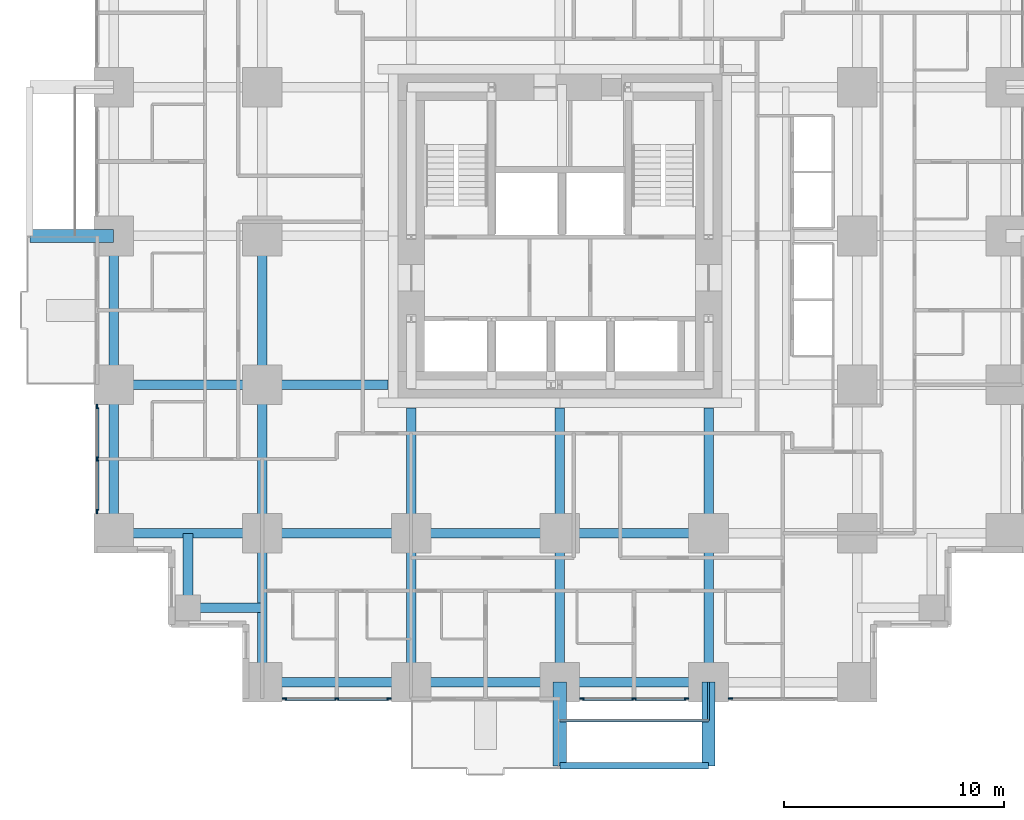
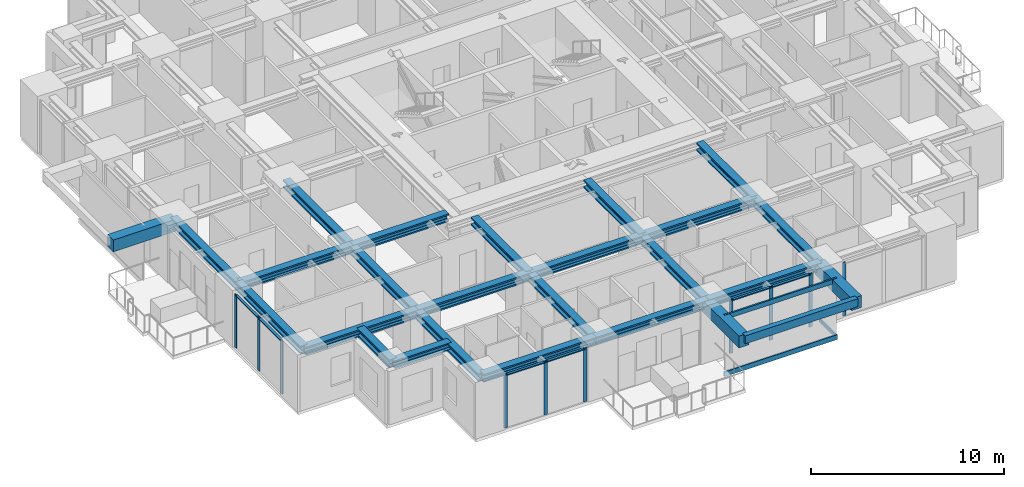
# One storey, part 2 of 14: 26 beams, 19 members, 4 elements without a shape of their own.
"""IFC4 building model written with IfcOpenShell, lengths in metres."""

from ifc_helpers import new_model, si_unit, direction, frame, origin, origin_2d, place, context, subcontext, project, spatial, rectangle, hollow_rectangle, i_section, extrude, material, material_profile, profile_set, type_object, element, aggregate, save


model = new_model("IFC4")

# Units and contexts
model_context = context("Model", 3, precision=1e-05, world=origin(), true_north=direction((0.0, 1.0)))
body_context = subcontext(model_context, "Body", "Model", "MODEL_VIEW")
ifc_project = project(units=[si_unit("LENGTHUNIT", "METRE"), si_unit("AREAUNIT", "SQUARE_METRE"), si_unit("VOLUMEUNIT", "CUBIC_METRE"), si_unit("PLANEANGLEUNIT", "RADIAN"), si_unit("MASSUNIT", "GRAM", prefix="KILO")], contexts=[model_context])

# Site, building, storey
site_placement = place(None, origin())
site = spatial("IfcSite", under=ifc_project, at=site_placement, CompositionType="ELEMENT")
building_placement = place(site_placement, origin())
building = spatial("IfcBuilding", under=site, at=building_placement, Name="Nyansa Garden Tower", CompositionType="ELEMENT")
storey_placement = place(building_placement, frame((0.0, 0.0, 54.0)))
storey = spatial("IfcBuildingStorey", under=building, at=storey_placement, Name="L14", CompositionType="ELEMENT", Elevation=54.0)

# Beams
ifc_material_1 = material(Name="Concrete C70/85", Category="concrete")
ifc_material_profile_1 = material_profile(ifc_material_1, rectangle(XDim=0.60009765625, YDim=0.75, at=origin_2d()), Name="RC 600x750")
ifc_profile_set_1 = profile_set([ifc_material_profile_1], Name="Concrete C70/85")
beam_type_1 = type_object("IfcBeamType", Name="Balcony cantilever beam CB1 RC 600x750", PredefinedType="BEAM", material=ifc_profile_set_1)
for number, where, z_axis, x_axis, name in (
    (1, (20.25, 0.0, 2.985107421875), (0.0, -1.0, 0.0), (1.0, 0.0, 0.0), "Balcony cantilever beam L15"),
    (2, (27.0, 0.0, 2.985107421875), (0.0, -1.0, 0.0), (1.0, 0.0, 0.0), "Balcony cantilever beam L15"),
    (3, (0.0, 20.25, 2.985107421875), (-1.0, 0.0, 0.0), (0.0, -1.0, 0.0), "Balcony cantilever beam L15"),
):
    element("IfcBeam", number, at=place(storey_placement, frame(where, z_axis=z_axis, x_axis=x_axis)), inside=storey, type_object=beam_type_1, Name=name, PredefinedType="BEAM", context=body_context, shape_type="SweptSolid", body=[
        extrude(rectangle(XDim=0.60009765625, YDim=0.75, at=origin_2d()), origin(), (0.0, 0.0, 1.0), 3.800048828125),
    ])
ifc_material_2 = material(Name="Concrete C70/85", Category="concrete")
ifc_material_profile_2 = material_profile(ifc_material_2, rectangle(XDim=0.300048828125, YDim=0.5, at=origin_2d()), Name="RC 300x500")
ifc_profile_set_2 = profile_set([ifc_material_profile_2], Name="Concrete C70/85")
beam_type_2 = type_object("IfcBeamType", Name="Balcony edge beam BE1 RC 300x500", PredefinedType="BEAM", material=ifc_profile_set_2)
beam_1_placement = place(storey_placement, frame((20.25, -3.800048828125, 3.110107421875), z_axis=(1.0, 0.0, 0.0), x_axis=(0.0, 1.0, 0.0)))
element("IfcBeam", 4, at=beam_1_placement, inside=storey, type_object=beam_type_2, Name="Balcony edge beam L15", PredefinedType="BEAM", context=body_context, shape_type="SweptSolid", body=[
    extrude(rectangle(XDim=0.300048828125, YDim=0.5, at=origin_2d()), origin(), (0.0, 0.0, 1.0), 6.75),
])

# Curtain wall, members
ifc_material_3 = material(Name="Black anodised aluminium, dark tinted double glazing", Category="aluminium")
curtain_wall_type = type_object("IfcCurtainWallType", Name="Inner skin curtain wall ISW-A", PredefinedType="USERDEFINED", material=ifc_material_3)
curtain_wall_1_placement = place(storey_placement, origin())
curtain_wall_1 = element("IfcCurtainWall", 5, at=curtain_wall_1_placement, inside=storey, type_object=curtain_wall_type, Name="Inner skin curtain wall L14 W", ObjectType="UNITISED CURTAIN WALL", PredefinedType="USERDEFINED")
ifc_material_4 = material(Name="Black anodised aluminium", Category="aluminium")
ifc_material_profile_3 = material_profile(ifc_material_4, rectangle(XDim=0.06494140625, YDim=0.199951171875, at=origin_2d()), Name="Mullion 200x65")
ifc_profile_set_3 = profile_set([ifc_material_profile_3], Name="Black anodised aluminium")
member_type_1 = type_object("IfcMemberType", Name="Mullion ISW-A 200x65", PredefinedType="MULLION", material=ifc_profile_set_3)
member_1_placement = place(storey_placement, frame((-0.75, 12.5, 0.0), z_axis=(0.0, 0.0, 1.0), x_axis=(1.0, 0.0, 0.0)))
member_1 = element("IfcMember", 6, at=member_1_placement, type_object=member_type_1, Name="ISW-A mullion 1", PredefinedType="MULLION", context=body_context, shape_type="SweptSolid", body=[
    extrude(rectangle(XDim=0.06494140625, YDim=0.199951171875, at=origin_2d()), origin(), (0.0, 0.0, 1.0), 3.375),
])
member_2_placement = place(storey_placement, frame((-0.75, 10.125, 0.0), z_axis=(0.0, 0.0, 1.0), x_axis=(1.0, 0.0, 0.0)))
member_2 = element("IfcMember", 7, at=member_2_placement, type_object=member_type_1, Name="ISW-A mullion 2", PredefinedType="MULLION", context=body_context, shape_type="SweptSolid", body=[
    extrude(rectangle(XDim=0.06494140625, YDim=0.199951171875, at=origin_2d()), origin(), (0.0, 0.0, 1.0), 3.375),
])
member_3_placement = place(storey_placement, frame((-0.75, 7.75, 0.0), z_axis=(0.0, 0.0, 1.0), x_axis=(1.0, 0.0, 0.0)))
member_3 = element("IfcMember", 8, at=member_3_placement, type_object=member_type_1, Name="ISW-A mullion 3", PredefinedType="MULLION", context=body_context, shape_type="SweptSolid", body=[
    extrude(rectangle(XDim=0.06494140625, YDim=0.199951171875, at=origin_2d()), origin(), (0.0, 0.0, 1.0), 3.375),
])

curtain_wall_2_placement = place(storey_placement, origin())
curtain_wall_2 = element("IfcCurtainWall", 9, at=curtain_wall_2_placement, inside=storey, type_object=curtain_wall_type, Name="Inner skin curtain wall L14 S", ObjectType="UNITISED CURTAIN WALL", PredefinedType="USERDEFINED")
member_4_placement = place(storey_placement, frame((7.75, -0.75, 0.0), z_axis=(0.0, 0.0, 1.0), x_axis=(0.0, 1.0, 0.0)))
member_4 = element("IfcMember", 10, at=member_4_placement, type_object=member_type_1, Name="ISW-A mullion 1", PredefinedType="MULLION", context=body_context, shape_type="SweptSolid", body=[
    extrude(rectangle(XDim=0.06494140625, YDim=0.199951171875, at=origin_2d()), origin(), (0.0, 0.0, 1.0), 3.375),
])
member_5_placement = place(storey_placement, frame((10.125, -0.75, 0.0), z_axis=(0.0, 0.0, 1.0), x_axis=(0.0, 1.0, 0.0)))
member_5 = element("IfcMember", 11, at=member_5_placement, type_object=member_type_1, Name="ISW-A mullion 2", PredefinedType="MULLION", context=body_context, shape_type="SweptSolid", body=[
    extrude(rectangle(XDim=0.06494140625, YDim=0.199951171875, at=origin_2d()), origin(), (0.0, 0.0, 1.0), 3.375),
])
member_6_placement = place(storey_placement, frame((12.5, -0.75, 0.0), z_axis=(0.0, 0.0, 1.0), x_axis=(0.0, 1.0, 0.0)))
member_6 = element("IfcMember", 12, at=member_6_placement, type_object=member_type_1, Name="ISW-A mullion 3", PredefinedType="MULLION", context=body_context, shape_type="SweptSolid", body=[
    extrude(rectangle(XDim=0.06494140625, YDim=0.199951171875, at=origin_2d()), origin(), (0.0, 0.0, 1.0), 3.375),
])

curtain_wall_3_placement = place(storey_placement, origin())
curtain_wall_3 = element("IfcCurtainWall", 13, at=curtain_wall_3_placement, inside=storey, type_object=curtain_wall_type, Name="Inner skin curtain wall L14 S", ObjectType="UNITISED CURTAIN WALL", PredefinedType="USERDEFINED")
member_7_placement = place(storey_placement, frame((21.25, -0.75, 0.0), z_axis=(0.0, 0.0, 1.0), x_axis=(0.0, 1.0, 0.0)))
member_7 = element("IfcMember", 14, at=member_7_placement, type_object=member_type_1, Name="ISW-A mullion 1", PredefinedType="MULLION", context=body_context, shape_type="SweptSolid", body=[
    extrude(rectangle(XDim=0.06494140625, YDim=0.199951171875, at=origin_2d()), origin(), (0.0, 0.0, 1.0), 3.375),
])
member_8_placement = place(storey_placement, frame((23.625, -0.75, 0.0), z_axis=(0.0, 0.0, 1.0), x_axis=(0.0, 1.0, 0.0)))
member_8 = element("IfcMember", 15, at=member_8_placement, type_object=member_type_1, Name="ISW-A mullion 2", PredefinedType="MULLION", context=body_context, shape_type="SweptSolid", body=[
    extrude(rectangle(XDim=0.06494140625, YDim=0.199951171875, at=origin_2d()), origin(), (0.0, 0.0, 1.0), 3.375),
])
member_9_placement = place(storey_placement, frame((26.0, -0.75, 0.0), z_axis=(0.0, 0.0, 1.0), x_axis=(0.0, 1.0, 0.0)))
member_9 = element("IfcMember", 16, at=member_9_placement, type_object=member_type_1, Name="ISW-A mullion 3", PredefinedType="MULLION", context=body_context, shape_type="SweptSolid", body=[
    extrude(rectangle(XDim=0.06494140625, YDim=0.199951171875, at=origin_2d()), origin(), (0.0, 0.0, 1.0), 3.375),
])

# Curtain wall, member
curtain_wall_4_placement = place(storey_placement, origin())
curtain_wall_4 = element("IfcCurtainWall", 17, at=curtain_wall_4_placement, inside=storey, type_object=curtain_wall_type, Name="Inner skin curtain wall L14 S", ObjectType="UNITISED CURTAIN WALL", PredefinedType="USERDEFINED")
member_10_placement = place(storey_placement, frame((28.0, -0.75, 0.0), z_axis=(0.0, 0.0, 1.0), x_axis=(0.0, 1.0, 0.0)))
member_10 = element("IfcMember", 18, at=member_10_placement, type_object=member_type_1, Name="ISW-A mullion 1", PredefinedType="MULLION", context=body_context, shape_type="SweptSolid", body=[
    extrude(rectangle(XDim=0.06494140625, YDim=0.199951171875, at=origin_2d()), origin(), (0.0, 0.0, 1.0), 3.375),
])
aggregate(curtain_wall_4, [member_10])

# Members
ifc_material_5 = material(Name="Steel S355, black powder coated", Category="steel")
ifc_material_profile_4 = material_profile(ifc_material_5, hollow_rectangle(XDim=0.10009765625, YDim=0.199951171875, WallThickness=0.008056640625, at=origin_2d()), Name="RHS 200x100x8")
ifc_profile_set_4 = profile_set([ifc_material_profile_4], Name="Steel S355, black powder coated")
member_type_2 = type_object("IfcMemberType", Name="Outer skin bracket arm RHS 200x100x8", PredefinedType="USERDEFINED", material=ifc_profile_set_4)
member_11_placement = place(storey_placement, frame((27.0, 0.0, -0.375), z_axis=(0.0, -1.0, 0.0), x_axis=(1.0, 0.0, 0.0)))
element("IfcMember", 19, at=member_11_placement, inside=storey, type_object=member_type_2, Name="Outer skin bracket arm", ObjectType="OUTER SKIN BRACKET", PredefinedType="USERDEFINED", context=body_context, shape_type="SweptSolid", body=[
    extrude(hollow_rectangle(XDim=0.10009765625, YDim=0.199951171875, WallThickness=0.008056640625, at=origin_2d()), origin(), (0.0, 0.0, 1.0), 1.75),
])
ifc_material_6 = material(Name="Steel S355, black powder coated", Category="steel")
ifc_material_profile_5 = material_profile(ifc_material_6, hollow_rectangle(XDim=0.10009765625, YDim=0.300048828125, WallThickness=0.010009765625, at=origin_2d()), Name="RHS 300x100x10")
ifc_profile_set_5 = profile_set([ifc_material_profile_5], Name="Steel S355, black powder coated")
member_type_3 = type_object("IfcMemberType", Name="Outer skin rail RHS 300x100x10", PredefinedType="USERDEFINED", material=ifc_profile_set_5)
for number, where, z_axis, x_axis, name in (
    (20, (20.25, -1.75, -0.375), (1.0, 0.0, 0.0), (0.0, 1.0, 0.0), "Outer skin rail L14"),
    (21, (20.25, -1.75, 3.22509765625), (1.0, 0.0, 0.0), (0.0, 1.0, 0.0), "Outer skin rail L14 head"),
):
    element("IfcMember", number, at=place(storey_placement, frame(where, z_axis=z_axis, x_axis=x_axis)), inside=storey, type_object=member_type_3, Name=name, ObjectType="OUTER SKIN RAIL", PredefinedType="USERDEFINED", context=body_context, shape_type="SweptSolid", body=[
        extrude(hollow_rectangle(XDim=0.10009765625, YDim=0.300048828125, WallThickness=0.010009765625, at=origin_2d()), origin(), (0.0, 0.0, 1.0), 6.75),
    ])

# Beams
ifc_material_7 = material(Name="Steel S355", Category="steel")
ifc_material_profile_6 = material_profile(ifc_material_7, i_section(OverallWidth=0.431884765625, OverallDepth=0.498046875, WebThickness=0.0556640625, FlangeThickness=0.0888671875, FilletRadius=0.014892578125, at=origin_2d()), Name="HD 400x744")
ifc_profile_set_6 = profile_set([ifc_material_profile_6], Name="Steel S355")
beam_type_3 = type_object("IfcBeamType", Name="Steel beam SBA1-744 HD 400x744", PredefinedType="BEAM", material=ifc_profile_set_6)
for number, where, z_axis, x_axis, name in (
    (22, (0.0, 6.75, 3.1259765625), (1.0, 0.0, 0.0), (0.0, 1.0, 0.0), "Steel beam 2/E-3/E L15"),
    (23, (0.0, 13.5, 3.1259765625), (1.0, 0.0, 0.0), (0.0, 1.0, 0.0), "Steel beam 2/F-3/F L15"),
    (24, (6.75, 0.0, 3.1259765625), (0.0, 1.0, 0.0), (-1.0, 0.0, 0.0), "Steel beam 3/D-3/E L15"),
    (25, (6.75, 6.75, 3.1259765625), (0.0, 1.0, 0.0), (-1.0, 0.0, 0.0), "Steel beam 3/E-3/F L15"),
    (26, (6.75, 6.75, 3.1259765625), (1.0, 0.0, 0.0), (0.0, 1.0, 0.0), "Steel beam 3/E-4/E L15"),
    (27, (6.75, 13.5, 3.1259765625), (0.0, 1.0, 0.0), (-1.0, 0.0, 0.0), "Steel beam 3/F-3/G L15"),
):
    element("IfcBeam", number, at=place(storey_placement, frame(where, z_axis=z_axis, x_axis=x_axis)), inside=storey, type_object=beam_type_3, Name=name, PredefinedType="BEAM", context=body_context, shape_type="SweptSolid", body=[
        extrude(i_section(OverallWidth=0.431884765625, OverallDepth=0.498046875, WebThickness=0.0556640625, FlangeThickness=0.0888671875, FilletRadius=0.014892578125, at=origin_2d()), origin(), (0.0, 0.0, 1.0), 6.75),
    ])
beam_2_placement = place(storey_placement, frame((6.75, 13.5, 3.1259765625), z_axis=(1.0, 0.0, 0.0), x_axis=(0.0, 1.0, 0.0)))
element("IfcBeam", 28, at=beam_2_placement, inside=storey, type_object=beam_type_3, Name="Steel beam 3/F-12.450/F L15", PredefinedType="BEAM", context=body_context, shape_type="SweptSolid", body=[
    extrude(i_section(OverallWidth=0.431884765625, OverallDepth=0.498046875, WebThickness=0.0556640625, FlangeThickness=0.0888671875, FilletRadius=0.014892578125, at=origin_2d()), origin(), (0.0, 0.0, 1.0), 5.699951171875),
])
beam_3_placement = place(storey_placement, frame((13.5, 0.0, 3.1259765625), z_axis=(0.0, 1.0, 0.0), x_axis=(-1.0, 0.0, 0.0)))
element("IfcBeam", 29, at=beam_3_placement, inside=storey, type_object=beam_type_3, Name="Steel beam 4/D-4/E L15", PredefinedType="BEAM", context=body_context, shape_type="SweptSolid", body=[
    extrude(i_section(OverallWidth=0.431884765625, OverallDepth=0.498046875, WebThickness=0.0556640625, FlangeThickness=0.0888671875, FilletRadius=0.014892578125, at=origin_2d()), origin(), (0.0, 0.0, 1.0), 6.75),
])
beam_4_placement = place(storey_placement, frame((13.5, 6.75, 3.1259765625), z_axis=(0.0, 1.0, 0.0), x_axis=(-1.0, 0.0, 0.0)))
element("IfcBeam", 30, at=beam_4_placement, inside=storey, type_object=beam_type_3, Name="Steel beam 4/E-4/12.450 L15", PredefinedType="BEAM", context=body_context, shape_type="SweptSolid", body=[
    extrude(i_section(OverallWidth=0.431884765625, OverallDepth=0.498046875, WebThickness=0.0556640625, FlangeThickness=0.0888671875, FilletRadius=0.014892578125, at=origin_2d()), origin(), (0.0, 0.0, 1.0), 5.699951171875),
])
for number, where, z_axis, x_axis, name in (
    (31, (13.5, 6.75, 3.1259765625), (1.0, 0.0, 0.0), (0.0, 1.0, 0.0), "Steel beam 4/E-5/E L15"),
    (32, (20.25, 0.0, 3.1259765625), (0.0, 1.0, 0.0), (-1.0, 0.0, 0.0), "Steel beam 5/D-5/E L15"),
):
    element("IfcBeam", number, at=place(storey_placement, frame(where, z_axis=z_axis, x_axis=x_axis)), inside=storey, type_object=beam_type_3, Name=name, PredefinedType="BEAM", context=body_context, shape_type="SweptSolid", body=[
        extrude(i_section(OverallWidth=0.431884765625, OverallDepth=0.498046875, WebThickness=0.0556640625, FlangeThickness=0.0888671875, FilletRadius=0.014892578125, at=origin_2d()), origin(), (0.0, 0.0, 1.0), 6.75),
    ])
beam_5_placement = place(storey_placement, frame((20.25, 6.75, 3.1259765625), z_axis=(0.0, 1.0, 0.0), x_axis=(-1.0, 0.0, 0.0)))
element("IfcBeam", 33, at=beam_5_placement, inside=storey, type_object=beam_type_3, Name="Steel beam 5/E-5/12.450 L15", PredefinedType="BEAM", context=body_context, shape_type="SweptSolid", body=[
    extrude(i_section(OverallWidth=0.431884765625, OverallDepth=0.498046875, WebThickness=0.0556640625, FlangeThickness=0.0888671875, FilletRadius=0.014892578125, at=origin_2d()), origin(), (0.0, 0.0, 1.0), 5.699951171875),
])
for number, where, z_axis, x_axis, name in (
    (34, (20.25, 6.75, 3.1259765625), (1.0, 0.0, 0.0), (0.0, 1.0, 0.0), "Steel beam 5/E-6/E L15"),
    (35, (27.0, 0.0, 3.1259765625), (0.0, 1.0, 0.0), (-1.0, 0.0, 0.0), "Steel beam 6/D-6/E L15"),
):
    element("IfcBeam", number, at=place(storey_placement, frame(where, z_axis=z_axis, x_axis=x_axis)), inside=storey, type_object=beam_type_3, Name=name, PredefinedType="BEAM", context=body_context, shape_type="SweptSolid", body=[
        extrude(i_section(OverallWidth=0.431884765625, OverallDepth=0.498046875, WebThickness=0.0556640625, FlangeThickness=0.0888671875, FilletRadius=0.014892578125, at=origin_2d()), origin(), (0.0, 0.0, 1.0), 6.75),
    ])
beam_6_placement = place(storey_placement, frame((27.0, 6.75, 3.1259765625), z_axis=(0.0, 1.0, 0.0), x_axis=(-1.0, 0.0, 0.0)))
element("IfcBeam", 36, at=beam_6_placement, inside=storey, type_object=beam_type_3, Name="Steel beam 6/E-6/12.450 L15", PredefinedType="BEAM", context=body_context, shape_type="SweptSolid", body=[
    extrude(i_section(OverallWidth=0.431884765625, OverallDepth=0.498046875, WebThickness=0.0556640625, FlangeThickness=0.0888671875, FilletRadius=0.014892578125, at=origin_2d()), origin(), (0.0, 0.0, 1.0), 5.699951171875),
])
ifc_material_8 = material(Name="Steel S355", Category="steel")
ifc_material_profile_7 = material_profile(ifc_material_8, i_section(OverallWidth=0.431884765625, OverallDepth=0.498046875, WebThickness=0.0556640625, FlangeThickness=0.0888671875, FilletRadius=0.014892578125, at=origin_2d()), Name="HD 400x744")
ifc_profile_set_7 = profile_set([ifc_material_profile_7], Name="Steel S355")
beam_type_4 = type_object("IfcBeamType", Name="Steel beam SEBA-744 HD 400x744", PredefinedType="BEAM", material=ifc_profile_set_7)
for number, where, z_axis, x_axis, name in (
    (37, (0.0, 6.75, 3.1259765625), (0.0, 1.0, 0.0), (-1.0, 0.0, 0.0), "Steel edge beam 2/E-2/F L15"),
    (38, (0.0, 13.5, 3.1259765625), (0.0, 1.0, 0.0), (-1.0, 0.0, 0.0), "Steel edge beam 2/F-2/G L15"),
    (39, (6.75, 0.0, 3.1259765625), (1.0, 0.0, 0.0), (0.0, 1.0, 0.0), "Steel edge beam 3/D-4/D L15"),
    (40, (13.5, 0.0, 3.1259765625), (1.0, 0.0, 0.0), (0.0, 1.0, 0.0), "Steel edge beam 4/D-5/D L15"),
    (41, (20.25, 0.0, 3.1259765625), (1.0, 0.0, 0.0), (0.0, 1.0, 0.0), "Steel edge beam 5/D-6/D L15"),
):
    element("IfcBeam", number, at=place(storey_placement, frame(where, z_axis=z_axis, x_axis=x_axis)), inside=storey, type_object=beam_type_4, Name=name, PredefinedType="BEAM", context=body_context, shape_type="SweptSolid", body=[
        extrude(i_section(OverallWidth=0.431884765625, OverallDepth=0.498046875, WebThickness=0.0556640625, FlangeThickness=0.0888671875, FilletRadius=0.014892578125, at=origin_2d()), origin(), (0.0, 0.0, 1.0), 6.75),
    ])
ifc_material_9 = material(Name="Steel S355", Category="steel")
ifc_material_profile_8 = material_profile(ifc_material_9, i_section(OverallWidth=0.431884765625, OverallDepth=0.498046875, WebThickness=0.0556640625, FlangeThickness=0.0888671875, FilletRadius=0.014892578125, at=origin_2d()), Name="HD 400x744")
ifc_profile_set_8 = profile_set([ifc_material_profile_8], Name="Steel S355")
beam_type_5 = type_object("IfcBeamType", Name="Steel beam SSB1-744 HD 400x744", PredefinedType="BEAM", material=ifc_profile_set_8)
for number, where, z_axis, x_axis, name in (
    (42, (3.375, 3.375, 3.1259765625), (0.0, 1.0, 0.0), (-1.0, 0.0, 0.0), "Steel step beam 3.375/3.375 L15"),
    (43, (3.375, 3.375, 3.1259765625), (1.0, 0.0, 0.0), (0.0, 1.0, 0.0), "Steel step beam 3.375/3.375 L15"),
):
    element("IfcBeam", number, at=place(storey_placement, frame(where, z_axis=z_axis, x_axis=x_axis)), inside=storey, type_object=beam_type_5, Name=name, PredefinedType="BEAM", context=body_context, shape_type="SweptSolid", body=[
        extrude(i_section(OverallWidth=0.431884765625, OverallDepth=0.498046875, WebThickness=0.0556640625, FlangeThickness=0.0888671875, FilletRadius=0.014892578125, at=origin_2d()), origin(), (0.0, 0.0, 1.0), 3.375),
    ])

# Member
ifc_material_10 = material(Name="Black anodised aluminium", Category="aluminium")
ifc_material_profile_9 = material_profile(ifc_material_10, rectangle(XDim=0.14990234375, YDim=0.06494140625, at=origin_2d()), Name="Transom 150x65")
ifc_profile_set_9 = profile_set([ifc_material_profile_9], Name="Black anodised aluminium")
member_type_4 = type_object("IfcMemberType", Name="Transom ISW-A 150x65", PredefinedType="USERDEFINED", material=ifc_profile_set_9)
member_12_placement = place(storey_placement, frame((-0.75, 12.467529296875, 3.342529296875), z_axis=(0.0, -1.0, 0.0), x_axis=(1.0, 0.0, 0.0)))
member_12 = element("IfcMember", 44, at=member_12_placement, type_object=member_type_4, Name="ISW-A transom 1", ObjectType="TRANSOM", PredefinedType="USERDEFINED", context=body_context, shape_type="SweptSolid", body=[
    extrude(rectangle(XDim=0.14990234375, YDim=0.06494140625, at=origin_2d()), origin(), (0.0, 0.0, 1.0), 2.31005859375),
])

member_13_placement = place(storey_placement, frame((-0.75, 10.092529296875, 3.342529296875), z_axis=(0.0, -1.0, 0.0), x_axis=(1.0, 0.0, 0.0)))
member_13 = element("IfcMember", 45, at=member_13_placement, type_object=member_type_4, Name="ISW-A transom 2", ObjectType="TRANSOM", PredefinedType="USERDEFINED", context=body_context, shape_type="SweptSolid", body=[
    extrude(rectangle(XDim=0.14990234375, YDim=0.06494140625, at=origin_2d()), origin(), (0.0, 0.0, 1.0), 2.31005859375),
])

aggregate(curtain_wall_1, [member_1, member_2, member_3, member_12, member_13])

member_14_placement = place(storey_placement, frame((7.782470703125, -0.75, 3.342529296875), z_axis=(1.0, 0.0, 0.0), x_axis=(0.0, 1.0, 0.0)))
member_14 = element("IfcMember", 46, at=member_14_placement, type_object=member_type_4, Name="ISW-A transom 1", ObjectType="TRANSOM", PredefinedType="USERDEFINED", context=body_context, shape_type="SweptSolid", body=[
    extrude(rectangle(XDim=0.14990234375, YDim=0.06494140625, at=origin_2d()), origin(), (0.0, 0.0, 1.0), 2.31005859375),
])

member_15_placement = place(storey_placement, frame((10.157470703125, -0.75, 3.342529296875), z_axis=(1.0, 0.0, 0.0), x_axis=(0.0, 1.0, 0.0)))
member_15 = element("IfcMember", 47, at=member_15_placement, type_object=member_type_4, Name="ISW-A transom 2", ObjectType="TRANSOM", PredefinedType="USERDEFINED", context=body_context, shape_type="SweptSolid", body=[
    extrude(rectangle(XDim=0.14990234375, YDim=0.06494140625, at=origin_2d()), origin(), (0.0, 0.0, 1.0), 2.31005859375),
])

aggregate(curtain_wall_2, [member_4, member_5, member_6, member_14, member_15])

member_16_placement = place(storey_placement, frame((21.282470703125, -0.75, 3.342529296875), z_axis=(1.0, 0.0, 0.0), x_axis=(0.0, 1.0, 0.0)))
member_16 = element("IfcMember", 48, at=member_16_placement, type_object=member_type_4, Name="ISW-A transom 1", ObjectType="TRANSOM", PredefinedType="USERDEFINED", context=body_context, shape_type="SweptSolid", body=[
    extrude(rectangle(XDim=0.14990234375, YDim=0.06494140625, at=origin_2d()), origin(), (0.0, 0.0, 1.0), 2.31005859375),
])

member_17_placement = place(storey_placement, frame((23.657470703125, -0.75, 3.342529296875), z_axis=(1.0, 0.0, 0.0), x_axis=(0.0, 1.0, 0.0)))
member_17 = element("IfcMember", 49, at=member_17_placement, type_object=member_type_4, Name="ISW-A transom 2", ObjectType="TRANSOM", PredefinedType="USERDEFINED", context=body_context, shape_type="SweptSolid", body=[
    extrude(rectangle(XDim=0.14990234375, YDim=0.06494140625, at=origin_2d()), origin(), (0.0, 0.0, 1.0), 2.31005859375),
])

aggregate(curtain_wall_3, [member_7, member_8, member_9, member_16, member_17])

save(model, "model.ifc")
